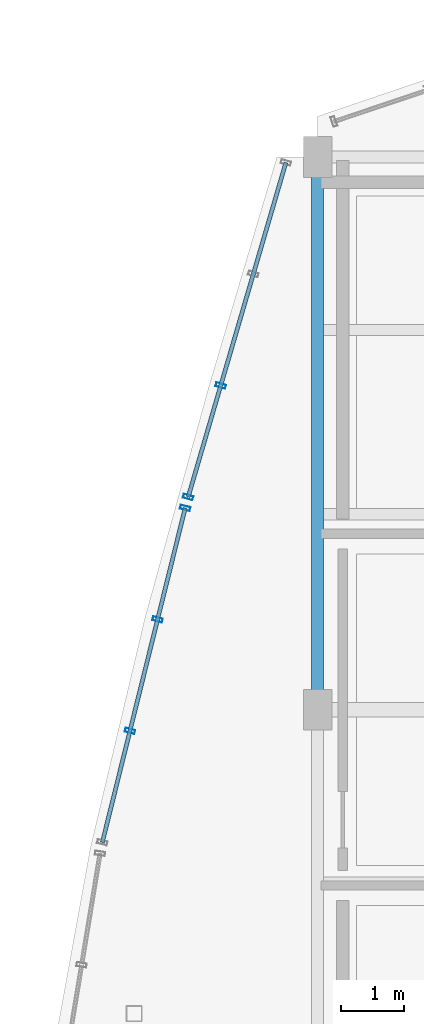
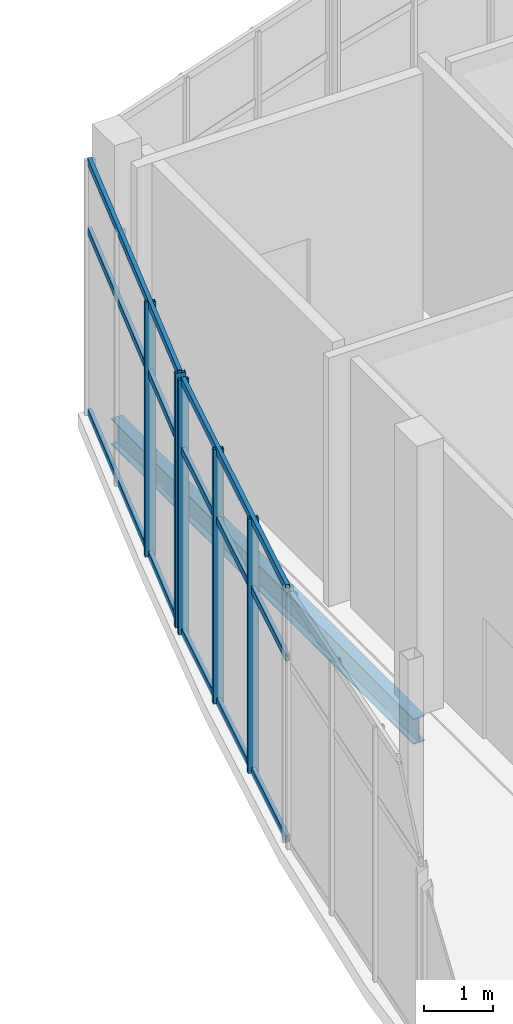
# One storey, part 35 of 157: 11 members, 1 beam, 2 elements without a shape of their own.
"""IFC4 building model written with IfcOpenShell, lengths in metres."""

from ifc_helpers import new_model, si_unit, direction, frame, origin, origin_2d, place, context, subcontext, project, spatial, hollow_rectangle, i_section, extrude, material, layer, layer_set, material_profile, profile_set, type_object, element, aggregate, save


model = new_model("IFC4")

# Units and contexts
model_context = context("Model", 3, precision=1e-05, world=origin(), true_north=direction((0.0, 1.0)))
body_context = subcontext(model_context, "Body", "Model", "MODEL_VIEW")
ifc_project = project(units=[si_unit("LENGTHUNIT", "METRE"), si_unit("AREAUNIT", "SQUARE_METRE"), si_unit("VOLUMEUNIT", "CUBIC_METRE"), si_unit("PLANEANGLEUNIT", "RADIAN"), si_unit("MASSUNIT", "GRAM", prefix="KILO")], contexts=[model_context])

# Site, building, storey
site_placement = place(None, origin())
site = spatial("IfcSite", under=ifc_project, at=site_placement, CompositionType="ELEMENT")
building_placement = place(site_placement, origin())
building = spatial("IfcBuilding", under=site, at=building_placement, Name="Chalmorin Arch Market", CompositionType="ELEMENT")
storey_placement = place(building_placement, frame((0.0, 0.0, 4.800048828125)))
storey = spatial("IfcBuildingStorey", under=building, at=storey_placement, Name="L01", CompositionType="ELEMENT", Elevation=4.800048828125)

# Curtain wall, members
ifc_material_1 = material(Name="Aluminium 6063-T6", Category="aluminium")
ifc_layer_1 = layer(ifc_material_1, 0.159912109375)
ifc_layer_set_1 = layer_set([ifc_layer_1], Name="Aluminium 6063-T6")
curtain_wall_type_1 = type_object("IfcCurtainWallType", Name="RiverfrontStorefrontCurtainWall-CW2-5490x4520", PredefinedType="NOTDEFINED", material=ifc_layer_set_1)
curtain_wall_1_placement = place(storey_placement, origin())
curtain_wall_1 = element("IfcCurtainWall", 1, at=curtain_wall_1_placement, inside=storey, type_object=curtain_wall_type_1, Name="CW-02-064", PredefinedType="NOTDEFINED")
ifc_material_profile_1 = material_profile(ifc_material_1, hollow_rectangle(XDim=0.06494140625, YDim=0.159912109375, WallThickness=0.00390625, at=origin_2d()), Name="ALU65X160X4")
ifc_profile_set_1 = profile_set([ifc_material_profile_1], Name="Aluminium 6063-T6")
member_type_1 = type_object("IfcMemberType", Name="CurtainWallMullion-65x160", PredefinedType="MULLION", material=ifc_profile_set_1)
member_1_placement = place(storey_placement, frame((-2.988525390625, 40.862548828125, 0.0), z_axis=(0.0, 0.0, 1.0), x_axis=(0.2419218956, 0.970295726276, 0.0)))
member_1 = element("IfcMember", 2, at=member_1_placement, type_object=member_type_1, Name="ML-064-02", PredefinedType="MULLION", context=body_context, shape_type="SweptSolid", body=[
    extrude(hollow_rectangle(XDim=0.06494140625, YDim=0.159912109375, WallThickness=0.00390625, at=origin_2d()), origin(), (0.0, 0.0, 1.0), 4.52001953125),
])
member_2_placement = place(storey_placement, frame((-2.548583984375, 42.637451171875, 0.0), z_axis=(0.0, 0.0, 1.0), x_axis=(0.2419218956, 0.970295726276, 0.0)))
member_2 = element("IfcMember", 3, at=member_2_placement, type_object=member_type_1, Name="ML-064-03", PredefinedType="MULLION", context=body_context, shape_type="SweptSolid", body=[
    extrude(hollow_rectangle(XDim=0.06494140625, YDim=0.159912109375, WallThickness=0.00390625, at=origin_2d()), origin(), (0.0, 0.0, 1.0), 4.52001953125),
])
member_3_placement = place(storey_placement, frame((-2.108642578125, 44.41259765625, 0.0), z_axis=(0.0, 0.0, 1.0), x_axis=(0.2419218956, 0.970295726276, 0.0)))
member_3 = element("IfcMember", 4, at=member_3_placement, type_object=member_type_1, Name="ML-064-04", PredefinedType="MULLION", context=body_context, shape_type="SweptSolid", body=[
    extrude(hollow_rectangle(XDim=0.06494140625, YDim=0.159912109375, WallThickness=0.00390625, at=origin_2d()), origin(), (0.0, 0.0, 1.0), 4.52001953125),
])

ifc_layer_2 = layer(ifc_material_1, 0.159912109375)
ifc_layer_set_2 = layer_set([ifc_layer_2], Name="Aluminium 6063-T6")
curtain_wall_type_2 = type_object("IfcCurtainWallType", Name="RiverfrontStorefrontCurtainWall-CW2-5550x4520", PredefinedType="NOTDEFINED", material=ifc_layer_set_2)
curtain_wall_2_placement = place(storey_placement, origin())
curtain_wall_2 = element("IfcCurtainWall", 5, at=curtain_wall_2_placement, inside=storey, type_object=curtain_wall_type_2, Name="CW-02-067", PredefinedType="NOTDEFINED")
member_4_placement = place(storey_placement, frame((-2.061767578125, 44.58642578125, 0.0), z_axis=(0.0, 0.0, 1.0), x_axis=(0.275637355817, 0.961261695938, 0.0)))
member_4 = element("IfcMember", 6, at=member_4_placement, type_object=member_type_1, Name="ML-067-01", PredefinedType="MULLION", context=body_context, shape_type="SweptSolid", body=[
    extrude(hollow_rectangle(XDim=0.06494140625, YDim=0.159912109375, WallThickness=0.00390625, at=origin_2d()), origin(), (0.0, 0.0, 1.0), 4.52001953125),
])
member_5_placement = place(storey_placement, frame((-1.54296875, 46.362060546875, 0.0), z_axis=(0.0, 0.0, 1.0), x_axis=(0.275637355817, 0.961261695938, 0.0)))
member_5 = element("IfcMember", 7, at=member_5_placement, type_object=member_type_1, Name="ML-067-02", PredefinedType="MULLION", context=body_context, shape_type="SweptSolid", body=[
    extrude(hollow_rectangle(XDim=0.06494140625, YDim=0.159912109375, WallThickness=0.00390625, at=origin_2d()), origin(), (0.0, 0.0, 1.0), 4.52001953125),
])

# Member
ifc_material_profile_2 = material_profile(ifc_material_1, hollow_rectangle(XDim=0.06494140625, YDim=0.1298828125, WallThickness=0.00390625, at=origin_2d()), Name="ALU65X130X4")
ifc_profile_set_2 = profile_set([ifc_material_profile_2], Name="Aluminium 6063-T6")
member_type_2 = type_object("IfcMemberType", Name="CurtainWallTransom-65x130", PredefinedType="USERDEFINED", material=ifc_profile_set_2)
member_6_placement = place(storey_placement, frame((-3.428466796875, 39.08740234375, 0.034912109375), z_axis=(0.240566657981, 0.970632620031, 0.0), x_axis=(-0.970632620031, 0.240566657981, 0.0)))
member_6 = element("IfcMember", 8, at=member_6_placement, type_object=member_type_2, Name="TR-064-01", ObjectType="TRANSOM", PredefinedType="USERDEFINED", context=body_context, shape_type="SweptSolid", body=[
    extrude(hollow_rectangle(XDim=0.06494140625, YDim=0.1298828125, WallThickness=0.00390625, at=origin_2d()), origin(), (0.0, 0.0, 1.0), 5.486328125),
])

member_7_placement = place(storey_placement, frame((-3.428466796875, 39.08740234375, 3.25439453125), z_axis=(0.240566657981, 0.970632620031, 0.0), x_axis=(-0.970632620031, 0.240566657981, 0.0)))
member_7 = element("IfcMember", 9, at=member_7_placement, type_object=member_type_2, Name="TR-064-02", ObjectType="TRANSOM", PredefinedType="USERDEFINED", context=body_context, shape_type="SweptSolid", body=[
    extrude(hollow_rectangle(XDim=0.06494140625, YDim=0.1298828125, WallThickness=0.00390625, at=origin_2d()), origin(), (0.0, 0.0, 1.0), 5.486328125),
])

member_8_placement = place(storey_placement, frame((-3.428466796875, 39.08740234375, 4.48486328125), z_axis=(0.240566657981, 0.970632620031, 0.0), x_axis=(-0.970632620031, 0.240566657981, 0.0)))
member_8 = element("IfcMember", 10, at=member_8_placement, type_object=member_type_2, Name="TR-064-03", ObjectType="TRANSOM", PredefinedType="USERDEFINED", context=body_context, shape_type="SweptSolid", body=[
    extrude(hollow_rectangle(XDim=0.06494140625, YDim=0.1298828125, WallThickness=0.00390625, at=origin_2d()), origin(), (0.0, 0.0, 1.0), 5.486328125),
])

aggregate(curtain_wall_1, [member_1, member_2, member_3, member_6, member_7, member_8])

member_9_placement = place(storey_placement, frame((-2.061767578125, 44.58642578125, 0.034912109375), z_axis=(0.280479701461, 0.959859957008, 0.0), x_axis=(-0.959859957008, 0.280479701461, 0.0)))
member_9 = element("IfcMember", 11, at=member_9_placement, type_object=member_type_2, Name="TR-067-01", ObjectType="TRANSOM", PredefinedType="USERDEFINED", context=body_context, shape_type="SweptSolid", body=[
    extrude(hollow_rectangle(XDim=0.06494140625, YDim=0.1298828125, WallThickness=0.00390625, at=origin_2d()), origin(), (0.0, 0.0, 1.0), 5.5498046875),
])

member_10_placement = place(storey_placement, frame((-2.061767578125, 44.58642578125, 3.25439453125), z_axis=(0.280479701461, 0.959859957008, 0.0), x_axis=(-0.959859957008, 0.280479701461, 0.0)))
member_10 = element("IfcMember", 12, at=member_10_placement, type_object=member_type_2, Name="TR-067-02", ObjectType="TRANSOM", PredefinedType="USERDEFINED", context=body_context, shape_type="SweptSolid", body=[
    extrude(hollow_rectangle(XDim=0.06494140625, YDim=0.1298828125, WallThickness=0.00390625, at=origin_2d()), origin(), (0.0, 0.0, 1.0), 5.5498046875),
])

member_11_placement = place(storey_placement, frame((-2.061767578125, 44.58642578125, 4.48486328125), z_axis=(0.280479701461, 0.959859957008, 0.0), x_axis=(-0.959859957008, 0.280479701461, 0.0)))
member_11 = element("IfcMember", 13, at=member_11_placement, type_object=member_type_2, Name="TR-067-03", ObjectType="TRANSOM", PredefinedType="USERDEFINED", context=body_context, shape_type="SweptSolid", body=[
    extrude(hollow_rectangle(XDim=0.06494140625, YDim=0.1298828125, WallThickness=0.00390625, at=origin_2d()), origin(), (0.0, 0.0, 1.0), 5.5498046875),
])

aggregate(curtain_wall_2, [member_4, member_5, member_9, member_10, member_11])

# Beam
ifc_material_2 = material(Name="Steel A992 Grade 50", Category="steel")
ifc_material_profile_3 = material_profile(ifc_material_2, i_section(OverallWidth=0.19091796875, OverallDepth=0.45703125, WebThickness=0.009033203125, FlangeThickness=0.014404296875, FilletRadius=0.02001953125, at=origin_2d()), Name="W18X50")
ifc_profile_set_3 = profile_set([ifc_material_profile_3], Name="Steel A992 Grade 50")
beam_type = type_object("IfcBeamType", Name="PerimeterSpandrelBeam-W18X50", PredefinedType="SPANDREL", material=ifc_profile_set_3)
beam_placement = place(storey_placement, frame((0.0, 41.199951171875, -0.510498046875), z_axis=(0.0, 1.0, 0.0), x_axis=(-1.0, 0.0, 0.0)))
element("IfcBeam", 14, at=beam_placement, inside=storey, type_object=beam_type, Name="SP-W18-0812", PredefinedType="SPANDREL", context=body_context, shape_type="SweptSolid", body=[
    extrude(i_section(OverallWidth=0.19091796875, OverallDepth=0.45703125, WebThickness=0.009033203125, FlangeThickness=0.014404296875, FilletRadius=0.02001953125, at=origin_2d()), origin(), (0.0, 0.0, 1.0), 8.800048828125),
])

save(model, "model.ifc")
